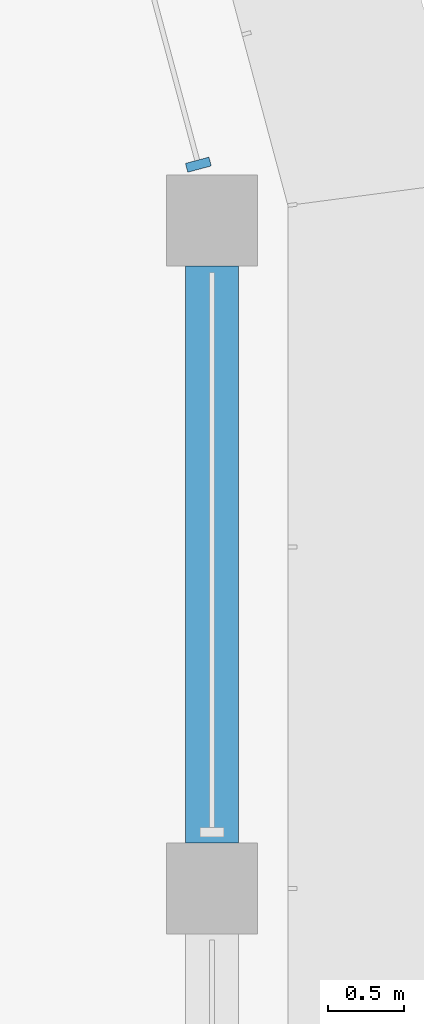
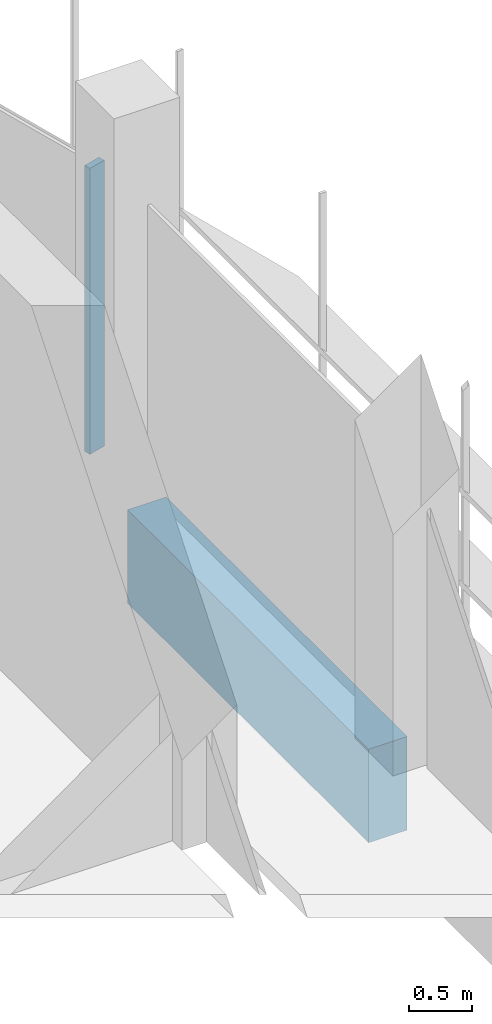
# One storey, part 10 of 19: 1 beam, 1 member, 1 element without a shape of its own.
"""IFC4 building model written with IfcOpenShell, lengths in metres."""

from ifc_helpers import new_model, si_unit, direction, frame, origin, origin_2d, place, context, subcontext, project, spatial, polyline, rectangle, outline, extrude, source, transform, mapped, material, material_profile, profile_set, type_object, element, aggregate, save


model = new_model("IFC4")

# Units and contexts
model_context = context("Model", 3, precision=1e-05, world=origin(), true_north=direction((0.0, 1.0)))
body_context = subcontext(model_context, "Body", "Model", "MODEL_VIEW")
ifc_project = project(units=[si_unit("LENGTHUNIT", "METRE"), si_unit("AREAUNIT", "SQUARE_METRE"), si_unit("VOLUMEUNIT", "CUBIC_METRE"), si_unit("PLANEANGLEUNIT", "RADIAN"), si_unit("MASSUNIT", "GRAM", prefix="KILO")], contexts=[model_context])

# Site, building, storey
site_placement = place(None, origin())
site = spatial("IfcSite", under=ifc_project, at=site_placement, CompositionType="ELEMENT")
building_placement = place(site_placement, origin())
building = spatial("IfcBuilding", under=site, at=building_placement, Name="Zarbagh Exchange Tower", CompositionType="ELEMENT")
storey_placement = place(building_placement, frame((0.0, 0.0, 257.39990234375)))
storey = spatial("IfcBuildingStorey", under=building, at=storey_placement, Name="L63", CompositionType="ELEMENT", Elevation=257.39990234375)

# Beam
ifc_material_1 = material(Name="Concrete C40/50", Category="concrete")
ifc_material_profile = material_profile(ifc_material_1, rectangle(XDim=0.35009765625, YDim=0.89990234375, at=origin_2d()), Name="RC spandrel beam 350 x 900 C40/50")
ifc_profile_set = profile_set([ifc_material_profile], Name="Concrete C40/50")
beam_type = type_object("IfcBeamType", Name="RC spandrel beam 350 x 900 C40/50", PredefinedType="SPANDREL", material=ifc_profile_set)
beam_placement = place(storey_placement, frame((6.25, 24.35009765625, -0.599853515625), z_axis=(0.0, -1.0, 0.0), x_axis=(1.0, 0.0, 0.0)))
element("IfcBeam", 1, at=beam_placement, inside=storey, type_object=beam_type, Name="RC spandrel beam", PredefinedType="SPANDREL", context=body_context, shape_type="SweptSolid", body=[
    extrude(rectangle(XDim=0.35009765625, YDim=0.89990234375, at=origin_2d()), origin(), (0.0, 0.0, 1.0), 3.800048828125),
])

# Curtain wall, member
ifc_material_2 = material(Name="Anodised aluminium frame and glazing", Category="aluminium")
curtain_wall_type = type_object("IfcCurtainWallType", Name="CWB Ribbon glazing, upper zones", PredefinedType="NOTDEFINED", material=ifc_material_2)
curtain_wall_placement = place(storey_placement, origin())
curtain_wall = element("IfcCurtainWall", 2, at=curtain_wall_placement, inside=storey, type_object=curtain_wall_type, Name="CWB68 curtain wall", PredefinedType="NOTDEFINED")
ifc_material_3 = material(Name="Anodised aluminium frame", Category="aluminium")
member_type = type_object("IfcMemberType", Name="MUB Mullion, anodised aluminium frame", PredefinedType="MULLION", material=ifc_material_3)
shared_shape = source(origin(), body_context, "Body", "SweptSolid", [
    extrude(outline(polyline([(0.0, -0.080078125), (0.06005859375, -0.080078125), (0.06005859375, 0.080078125), (0.0, 0.080078125), (0.0, -0.080078125)])), origin(), (0.0, 0.0, 1.0), 2.75),
])
member_placement = place(storey_placement, origin())
member = element("IfcMember", 3, at=member_placement, type_object=member_type, Name="CWB68 mullion 1.1", PredefinedType="MULLION", context=body_context, shape_type="MappedRepresentation", body=[
    mapped(shared_shape, transform((6.16796875, 24.989990234375, 0.0), x_axis=(-0.258824779902, 0.965924289636, 0.0), y_axis=(-0.965924289636, -0.258824779902, 0.0), z_axis=(0.0, 0.0, 1.0))),
])
aggregate(curtain_wall, [member])

save(model, "model.ifc")
